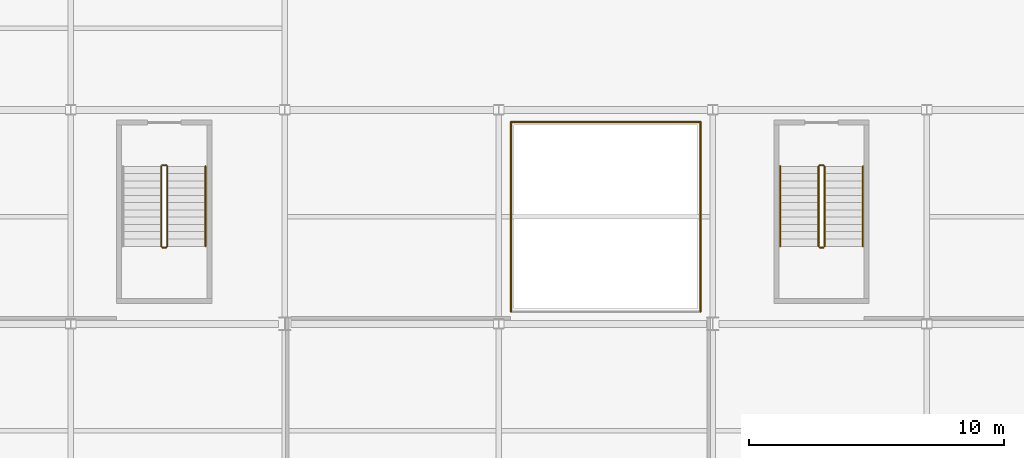
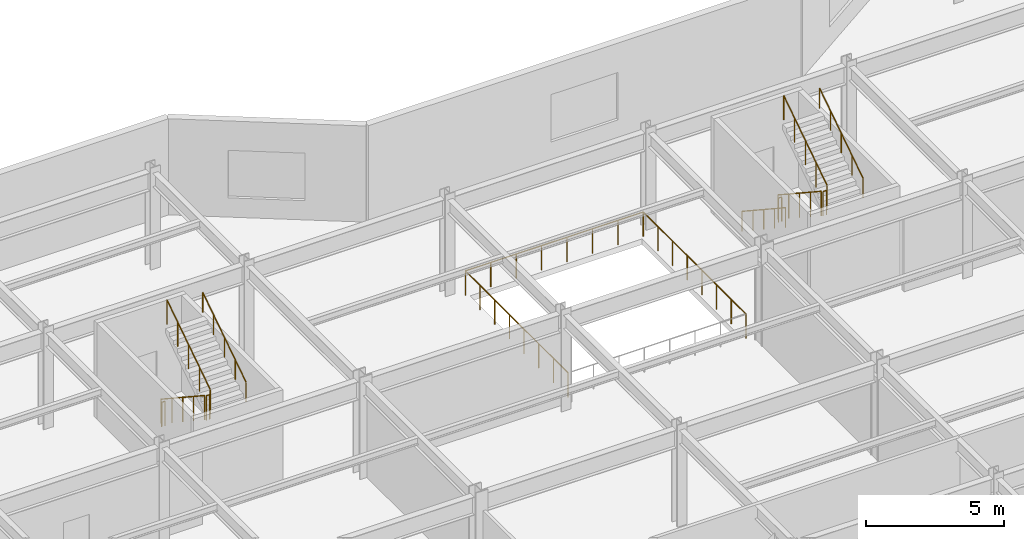
# One storey, part 23 of 26: 14 railings.
"""IFC4 building model written with IfcOpenShell, lengths in metres."""

import ifcopenshell
import ifcopenshell.guid

model = None  # the IFC model being written
_history = None  # IfcOwnerHistory: only IFC2X3 demands one
_inside = {}  # id of a spatial element -> (the spatial element, [elements in it])
_under = {}  # id of a project, library or spatial element -> (it, [spatial elements below it])
_declared = {}  # id of a project -> (the project, [libraries it declares])
_typed = {}  # id of a type object -> (the type object, [elements of that type])
_made_of = {}  # id of a material, layer set ... -> (it, [elements and type objects made of it])


def new_model(schema):
    """Start an empty IFC model of exactly this schema.

    Asked for "IFC4X3", IfcOpenShell would pick the latest addendum, in which some entities
    have other attributes; the version numbers below select the first issue.
    IFC2X3 requires an IfcOwnerHistory on every rooted entity: one is made here for all.
    """
    global model, _history
    if schema == "IFC4X3":
        model = ifcopenshell.file(schema_version=(4, 3, 0, 0))
    else:
        model = ifcopenshell.file(schema=schema)
    _inside.clear()
    _under.clear()
    _declared.clear()
    _typed.clear()
    _made_of.clear()
    _history = None
    if model.schema == "IFC2X3":
        org = make("IfcOrganization", Name="unknown")
        user = make(
            "IfcPersonAndOrganization",
            ThePerson=make("IfcPerson", FamilyName="unknown"),
            TheOrganization=org,
        )
        app = make(
            "IfcApplication",
            ApplicationDeveloper=org,
            Version="unknown",
            ApplicationFullName="unknown",
            ApplicationIdentifier="unknown",
        )
        _history = make(
            "IfcOwnerHistory",
            OwningUser=user,
            OwningApplication=app,
            ChangeAction="ADDED",
            CreationDate=0,
        )
    return model


def make(cls, **values):
    """One entity of the class cls with the attributes given. An attribute that is None is left unset."""
    return model.create_entity(
        cls, **{name: value for name, value in values.items() if value is not None}
    )


def rooted(cls, **values):
    """An entity with a GlobalId (a new one), such as an element, a storey or a relation."""
    return make(cls, GlobalId=ifcopenshell.guid.new(), OwnerHistory=_history, **values)


def si_unit(unit_type, name, prefix=None):
    """IfcSIUnit, for example si_unit("LENGTHUNIT", "METRE", prefix="MILLI")."""
    return make("IfcSIUnit", UnitType=unit_type, Prefix=prefix, Name=name)


def assignment(units):
    """IfcUnitAssignment: the units of a project."""
    return None if units is None else make("IfcUnitAssignment", Units=units)


def point(xyz):
    """IfcCartesianPoint."""
    return None if xyz is None else make("IfcCartesianPoint", Coordinates=xyz)


def direction(xyz):
    """IfcDirection."""
    return None if xyz is None else make("IfcDirection", DirectionRatios=xyz)


def frame(location, z_axis=None, x_axis=None):
    """IfcAxis2Placement3D, a coordinate frame: its origin and axes. An axis left out is left unset."""
    return make(
        "IfcAxis2Placement3D",
        Location=point(location),
        Axis=direction(z_axis),
        RefDirection=direction(x_axis),
    )


def frame_2d(location, x_axis=None):
    """IfcAxis2Placement2D, a coordinate frame in the plane: its origin and x axis."""
    return make(
        "IfcAxis2Placement2D", Location=point(location), RefDirection=direction(x_axis)
    )


def origin():
    """The frame at (0, 0, 0) with its axes left unset."""
    return frame((0.0, 0.0, 0.0))


def origin_2d():
    """The frame at (0, 0) in the plane with its x axis left unset."""
    return frame_2d((0.0, 0.0))


def place(relative_to, where):
    """IfcLocalPlacement: puts the frame where relative to a parent placement (None: the world)."""
    return make(
        "IfcLocalPlacement", PlacementRelTo=relative_to, RelativePlacement=where
    )


def context(
    kind, dimensions, precision=None, world=None, true_north=None, identifier=None
):
    """IfcGeometricRepresentationContext, for example the 3D "Model" context."""
    return make(
        "IfcGeometricRepresentationContext",
        ContextIdentifier=identifier,
        ContextType=kind,
        CoordinateSpaceDimension=dimensions,
        Precision=precision,
        WorldCoordinateSystem=world,
        TrueNorth=true_north,
    )


def subcontext(parent, identifier, kind, view, scale=None):
    """IfcGeometricRepresentationSubContext, for example "Body" below "Model"."""
    return make(
        "IfcGeometricRepresentationSubContext",
        ContextIdentifier=identifier,
        ContextType=kind,
        ParentContext=parent,
        TargetScale=scale,
        TargetView=view,
    )


def project(units=None, contexts=None):
    """IfcProject with its units and contexts."""
    return rooted(
        "IfcProject",
        Name="project",
        RepresentationContexts=contexts,
        UnitsInContext=assignment(units),
    )


def spatial(cls, under=None, at=None, **own):
    """A site, building, storey or space (cls), placed at a placement, below another one or the project."""
    s = rooted(cls, ObjectPlacement=at, **own)
    if under is not None:
        _under.setdefault(under.id(), (under, []))[1].append(s)
    return s


def profile(cls, at=None, kind="AREA", **sizes):
    """A parametric profile (cls). Its sizes go by their IFC names, for example OverallWidth=200.0."""
    return make(cls, ProfileType=kind, Position=at, **sizes)


def circle(**sizes):
    """IfcCircleProfileDef."""
    return profile("IfcCircleProfileDef", **sizes)


def extrude(swept, where, along, depth):
    """IfcExtrudedAreaSolid: the profile swept, set in the frame where, extruded along a direction by depth."""
    return make(
        "IfcExtrudedAreaSolid",
        SweptArea=swept,
        Position=where,
        ExtrudedDirection=direction(along),
        Depth=depth,
    )


def shape(context_of_items, identifier, shape_type, items):
    """IfcShapeRepresentation: the items that make up one representation, for example the "Body"."""
    return make(
        "IfcShapeRepresentation",
        ContextOfItems=context_of_items,
        RepresentationIdentifier=identifier,
        RepresentationType=shape_type,
        Items=items,
    )


def material(Name=None, Category=None):
    """IfcMaterial."""
    return make("IfcMaterial", Name=Name, Category=Category)


def made_of(thing, what):
    """Note that an element or type object is made of a material, layer set ...; save() writes the relation."""
    if what is not None:
        _made_of.setdefault(what.id(), (what, []))[1].append(thing)
    return thing


def type_object(cls, material=None, **own):
    """A type object (cls), such as IfcWallType, which elements share."""
    return made_of(rooted(cls, **own), material)


def element(
    cls,
    number,
    at=None,
    inside=None,
    cuts=None,
    type_object=None,
    material=None,
    context=None,
    identifier="Body",
    shape_type=None,
    held_by="IfcProductDefinitionShape",
    body=None,
    shapes=None,
    **own,
):
    """One element of the class cls, such as IfcWall. Its Tag is "e" and its number.

    at: its placement. inside: the storey or other place that contains it. cuts: it is an
    opening in that element (IfcRelVoidsElement). A single representation is given by context,
    identifier, shape_type and body (its items); several are given by shapes. held_by: the class
    of the entity that holds the representations. save() writes the other relations.
    """
    e = rooted(cls, Tag="e%d" % number, ObjectPlacement=at, **own)
    if body is not None:
        shapes = [shape(context, identifier, shape_type, body)]
    if shapes is not None:
        e.Representation = make(held_by, Representations=shapes)
    if inside is not None:
        _inside.setdefault(inside.id(), (inside, []))[1].append(e)
    if cuts is not None:
        rooted(
            "IfcRelVoidsElement", RelatingBuildingElement=cuts, RelatedOpeningElement=e
        )
    if type_object is not None:
        _typed.setdefault(type_object.id(), (type_object, []))[1].append(e)
    return made_of(e, material)


def aggregate(whole, parts):
    """IfcRelAggregates: a whole, such as a stair, and the parts it consists of."""
    return rooted("IfcRelAggregates", RelatingObject=whole, RelatedObjects=parts)


def save(model, path):
    """Write the relations noted so far, then the file.

    IfcRelAggregates (storeys below a building ...), IfcRelContainedInSpatialStructure (elements
    in a storey), IfcRelDefinesByType, IfcRelAssociatesMaterial and IfcRelDeclares: one each for
    every whole, place, type object, material and project.
    """
    for whole, parts in _under.values():
        aggregate(whole, parts)
    for where, things in _inside.values():
        rooted(
            "IfcRelContainedInSpatialStructure",
            RelatedElements=things,
            RelatingStructure=where,
        )
    for kind, things in _typed.values():
        rooted("IfcRelDefinesByType", RelatedObjects=things, RelatingType=kind)
    for what, things in _made_of.values():
        rooted("IfcRelAssociatesMaterial", RelatedObjects=things, RelatingMaterial=what)
    for by, libraries in _declared.values():
        rooted("IfcRelDeclares", RelatingContext=by, RelatedDefinitions=libraries)
    model.write(path)


model = new_model("IFC4")

# Units and contexts
model_context = context("Model", 3, precision=1e-05, world=origin(), true_north=direction((0.0, 1.0)))
body_context = subcontext(model_context, "Body", "Model", "MODEL_VIEW")
ifc_project = project(units=[si_unit("LENGTHUNIT", "METRE"), si_unit("AREAUNIT", "SQUARE_METRE"), si_unit("VOLUMEUNIT", "CUBIC_METRE"), si_unit("PLANEANGLEUNIT", "RADIAN"), si_unit("MASSUNIT", "GRAM", prefix="KILO")], contexts=[model_context])

# Site, building, storey
site_placement = place(None, origin())
site = spatial("IfcSite", under=ifc_project, at=site_placement, CompositionType="ELEMENT")
building_placement = place(site_placement, origin())
building = spatial("IfcBuilding", under=site, at=building_placement, Name="Varnakote Quay Hospital", CompositionType="ELEMENT")
storey_placement = place(building_placement, frame((0.0, 0.0, 4.5)))
storey = spatial("IfcBuildingStorey", under=building, at=storey_placement, Name="L01", CompositionType="ELEMENT", Elevation=4.5)

# Railings
ifc_material_1 = material(Name="Brushed stainless steel balustrade", Category="steel")
railing_type_1 = type_object("IfcRailingType", Name="RLG-STAIR-GUARD-1150", PredefinedType="GUARDRAIL", material=ifc_material_1)
railing_1_placement = place(storey_placement, frame((11.949951171875, 34.97998046875, 0.1875)))
element("IfcRailing", 1, at=railing_1_placement, inside=storey, type_object=railing_type_1, Name="L01 ST-04 stair guard 1", PredefinedType="GUARDRAIL", context=body_context, shape_type="SweptSolid", body=[
    extrude(circle(Radius=0.02392578125, at=origin_2d()), frame((0.0, 0.0, 1.076171875), z_axis=(0.0, -0.835417868355, 0.549615306585), x_axis=(1.0, 0.0, 0.0)), (0.0, 0.0, 1.0), 3.752685546875),
    extrude(circle(Radius=0.02099609375, at=origin_2d()), origin(), (0.0, 0.0, 1.0), 1.052001953125),
    extrude(circle(Radius=0.02099609375, at=origin_2d()), frame((0.0, -0.78369140625, 0.515625)), (0.0, 0.0, 1.0), 1.052001953125),
    extrude(circle(Radius=0.02099609375, at=origin_2d()), frame((0.0, -1.5673828125, 1.03125)), (0.0, 0.0, 1.0), 1.052001953125),
    extrude(circle(Radius=0.02099609375, at=origin_2d()), frame((0.0, -2.351318359375, 1.546875)), (0.0, 0.0, 1.0), 1.052001953125),
    extrude(circle(Radius=0.02099609375, at=origin_2d()), frame((0.0, -3.135009765625, 2.0625)), (0.0, 0.0, 1.0), 1.052001953125),
])
railing_2_placement = place(storey_placement, frame((12.0, 31.794921875, 2.25)))
element("IfcRailing", 2, at=railing_2_placement, inside=storey, type_object=railing_type_1, Name="L01 ST-04 stair guard 2", PredefinedType="GUARDRAIL", context=body_context, shape_type="SweptSolid", body=[
    extrude(circle(Radius=0.02392578125, at=origin_2d()), frame((0.0, 0.0, 1.076171875), z_axis=(1.0, 0.0, 0.0), x_axis=(0.0, 1.0, 0.0)), (0.0, 0.0, 1.0), 0.139892578125),
    extrude(circle(Radius=0.02099609375, at=origin_2d()), origin(), (0.0, 0.0, 1.0), 1.052001953125),
    extrude(circle(Radius=0.02099609375, at=origin_2d()), frame((0.139892578125, 0.0, 0.0)), (0.0, 0.0, 1.0), 1.052001953125),
])
railing_3_placement = place(storey_placement, frame((12.18994140625, 31.844970703125, 2.4375)))
element("IfcRailing", 3, at=railing_3_placement, inside=storey, type_object=railing_type_1, Name="L01 ST-04 stair guard 3", PredefinedType="GUARDRAIL", context=body_context, shape_type="SweptSolid", body=[
    extrude(circle(Radius=0.02392578125, at=origin_2d()), frame((0.0, 0.0, 1.076171875), z_axis=(0.0, 0.835417868355, 0.549615306585), x_axis=(-1.0, 0.0, 0.0)), (0.0, 0.0, 1.0), 3.752685546875),
    extrude(circle(Radius=0.02099609375, at=origin_2d()), origin(), (0.0, 0.0, 1.0), 1.052001953125),
    extrude(circle(Radius=0.02099609375, at=origin_2d()), frame((0.0, 0.78369140625, 0.515625)), (0.0, 0.0, 1.0), 1.052001953125),
    extrude(circle(Radius=0.02099609375, at=origin_2d()), frame((0.0, 1.5673828125, 1.03125)), (0.0, 0.0, 1.0), 1.052001953125),
    extrude(circle(Radius=0.02099609375, at=origin_2d()), frame((0.0, 2.351318359375, 1.546875)), (0.0, 0.0, 1.0), 1.052001953125),
    extrude(circle(Radius=0.02099609375, at=origin_2d()), frame((0.0, 3.135009765625, 2.0625)), (0.0, 0.0, 1.0), 1.052001953125),
])
railing_4_placement = place(storey_placement, frame((12.0, 35.030029296875, 0.0)))
element("IfcRailing", 4, at=railing_4_placement, inside=storey, type_object=railing_type_1, Name="L01 ST-04 stair guard 4", PredefinedType="GUARDRAIL", context=body_context, shape_type="SweptSolid", body=[
    extrude(circle(Radius=0.02392578125, at=origin_2d()), frame((0.0, 0.0, 1.076171875), z_axis=(1.0, 0.0, 0.0), x_axis=(0.0, 1.0, 0.0)), (0.0, 0.0, 1.0), 0.139892578125),
    extrude(circle(Radius=0.02099609375, at=origin_2d()), origin(), (0.0, 0.0, 1.0), 1.052001953125),
    extrude(circle(Radius=0.02099609375, at=origin_2d()), frame((0.139892578125, 0.0, 0.0)), (0.0, 0.0, 1.0), 1.052001953125),
])
railing_5_placement = place(storey_placement, frame((37.75, 34.97998046875, 0.1875)))
element("IfcRailing", 5, at=railing_5_placement, inside=storey, type_object=railing_type_1, Name="L01 ST-05 stair guard 1", PredefinedType="GUARDRAIL", context=body_context, shape_type="SweptSolid", body=[
    extrude(circle(Radius=0.02392578125, at=origin_2d()), frame((0.0, 0.0, 1.076171875), z_axis=(0.0, -0.835417868355, 0.549615306585), x_axis=(1.0, 0.0, 0.0)), (0.0, 0.0, 1.0), 3.752685546875),
    extrude(circle(Radius=0.02099609375, at=origin_2d()), origin(), (0.0, 0.0, 1.0), 1.052001953125),
    extrude(circle(Radius=0.02099609375, at=origin_2d()), frame((0.0, -0.78369140625, 0.515625)), (0.0, 0.0, 1.0), 1.052001953125),
    extrude(circle(Radius=0.02099609375, at=origin_2d()), frame((0.0, -1.5673828125, 1.03125)), (0.0, 0.0, 1.0), 1.052001953125),
    extrude(circle(Radius=0.02099609375, at=origin_2d()), frame((0.0, -2.351318359375, 1.546875)), (0.0, 0.0, 1.0), 1.052001953125),
    extrude(circle(Radius=0.02099609375, at=origin_2d()), frame((0.0, -3.135009765625, 2.0625)), (0.0, 0.0, 1.0), 1.052001953125),
])
railing_6_placement = place(storey_placement, frame((37.800048828125, 31.794921875, 2.25)))
element("IfcRailing", 6, at=railing_6_placement, inside=storey, type_object=railing_type_1, Name="L01 ST-05 stair guard 2", PredefinedType="GUARDRAIL", context=body_context, shape_type="SweptSolid", body=[
    extrude(circle(Radius=0.02392578125, at=origin_2d()), frame((0.0, 0.0, 1.076171875), z_axis=(1.0, 0.0, 0.0), x_axis=(0.0, 1.0, 0.0)), (0.0, 0.0, 1.0), 0.139892578125),
    extrude(circle(Radius=0.02099609375, at=origin_2d()), origin(), (0.0, 0.0, 1.0), 1.052001953125),
    extrude(circle(Radius=0.02099609375, at=origin_2d()), frame((0.139892578125, 0.0, 0.0)), (0.0, 0.0, 1.0), 1.052001953125),
])
railing_7_placement = place(storey_placement, frame((37.989990234375, 31.844970703125, 2.4375)))
element("IfcRailing", 7, at=railing_7_placement, inside=storey, type_object=railing_type_1, Name="L01 ST-05 stair guard 3", PredefinedType="GUARDRAIL", context=body_context, shape_type="SweptSolid", body=[
    extrude(circle(Radius=0.02392578125, at=origin_2d()), frame((0.0, 0.0, 1.076171875), z_axis=(0.0, 0.835417868355, 0.549615306585), x_axis=(-1.0, 0.0, 0.0)), (0.0, 0.0, 1.0), 3.752685546875),
    extrude(circle(Radius=0.02099609375, at=origin_2d()), origin(), (0.0, 0.0, 1.0), 1.052001953125),
    extrude(circle(Radius=0.02099609375, at=origin_2d()), frame((0.0, 0.78369140625, 0.515625)), (0.0, 0.0, 1.0), 1.052001953125),
    extrude(circle(Radius=0.02099609375, at=origin_2d()), frame((0.0, 1.5673828125, 1.03125)), (0.0, 0.0, 1.0), 1.052001953125),
    extrude(circle(Radius=0.02099609375, at=origin_2d()), frame((0.0, 2.351318359375, 1.546875)), (0.0, 0.0, 1.0), 1.052001953125),
    extrude(circle(Radius=0.02099609375, at=origin_2d()), frame((0.0, 3.135009765625, 2.0625)), (0.0, 0.0, 1.0), 1.052001953125),
])
railing_8_placement = place(storey_placement, frame((37.800048828125, 35.030029296875, 0.0)))
element("IfcRailing", 8, at=railing_8_placement, inside=storey, type_object=railing_type_1, Name="L01 ST-05 stair guard 4", PredefinedType="GUARDRAIL", context=body_context, shape_type="SweptSolid", body=[
    extrude(circle(Radius=0.02392578125, at=origin_2d()), frame((0.0, 0.0, 1.076171875), z_axis=(1.0, 0.0, 0.0), x_axis=(0.0, 1.0, 0.0)), (0.0, 0.0, 1.0), 0.139892578125),
    extrude(circle(Radius=0.02099609375, at=origin_2d()), origin(), (0.0, 0.0, 1.0), 1.052001953125),
    extrude(circle(Radius=0.02099609375, at=origin_2d()), frame((0.139892578125, 0.0, 0.0)), (0.0, 0.0, 1.0), 1.052001953125),
])
railing_9_placement = place(storey_placement, frame((33.1201171875, 29.280029296875, 0.0)))
element("IfcRailing", 9, at=railing_9_placement, inside=storey, type_object=railing_type_1, Name="L01 Concourse Atrium Void Safety Balustrade", PredefinedType="GUARDRAIL", context=body_context, shape_type="SweptSolid", body=[
    extrude(circle(Radius=0.02392578125, at=origin_2d()), frame((0.0, 0.0, 1.076171875), z_axis=(0.0, 1.0, 0.0), x_axis=(-1.0, 0.0, 0.0)), (0.0, 0.0, 1.0), 7.43994140625),
    extrude(circle(Radius=0.02099609375, at=origin_2d()), origin(), (0.0, 0.0, 1.0), 1.052001953125),
    extrude(circle(Radius=0.02099609375, at=origin_2d()), frame((0.0, 1.062744140625, 0.0)), (0.0, 0.0, 1.0), 1.052001953125),
    extrude(circle(Radius=0.02099609375, at=origin_2d()), frame((0.0, 2.125732421875, 0.0)), (0.0, 0.0, 1.0), 1.052001953125),
    extrude(circle(Radius=0.02099609375, at=origin_2d()), frame((0.0, 3.1884765625, 0.0)), (0.0, 0.0, 1.0), 1.052001953125),
    extrude(circle(Radius=0.02099609375, at=origin_2d()), frame((0.0, 4.25146484375, 0.0)), (0.0, 0.0, 1.0), 1.052001953125),
    extrude(circle(Radius=0.02099609375, at=origin_2d()), frame((0.0, 5.314208984375, 0.0)), (0.0, 0.0, 1.0), 1.052001953125),
    extrude(circle(Radius=0.02099609375, at=origin_2d()), frame((0.0, 6.377197265625, 0.0)), (0.0, 0.0, 1.0), 1.052001953125),
    extrude(circle(Radius=0.02099609375, at=origin_2d()), frame((0.0, 7.43994140625, 0.0)), (0.0, 0.0, 1.0), 1.052001953125),
])
railing_10_placement = place(storey_placement, frame((33.1201171875, 36.719970703125, 0.0)))
element("IfcRailing", 10, at=railing_10_placement, inside=storey, type_object=railing_type_1, Name="L01 Concourse Atrium Void Safety Balustrade", PredefinedType="GUARDRAIL", context=body_context, shape_type="SweptSolid", body=[
    extrude(circle(Radius=0.02392578125, at=origin_2d()), frame((0.0, 0.0, 1.076171875), z_axis=(-1.0, 0.0, 0.0), x_axis=(0.0, -1.0, 0.0)), (0.0, 0.0, 1.0), 7.440185546875),
    extrude(circle(Radius=0.02099609375, at=origin_2d()), origin(), (0.0, 0.0, 1.0), 1.052001953125),
    extrude(circle(Radius=0.02099609375, at=origin_2d()), frame((-1.06298828125, 0.0, 0.0)), (0.0, 0.0, 1.0), 1.052001953125),
    extrude(circle(Radius=0.02099609375, at=origin_2d()), frame((-2.125732421875, 0.0, 0.0)), (0.0, 0.0, 1.0), 1.052001953125),
    extrude(circle(Radius=0.02099609375, at=origin_2d()), frame((-3.188720703125, 0.0, 0.0)), (0.0, 0.0, 1.0), 1.052001953125),
    extrude(circle(Radius=0.02099609375, at=origin_2d()), frame((-4.25146484375, 0.0, 0.0)), (0.0, 0.0, 1.0), 1.052001953125),
    extrude(circle(Radius=0.02099609375, at=origin_2d()), frame((-5.314453125, 0.0, 0.0)), (0.0, 0.0, 1.0), 1.052001953125),
    extrude(circle(Radius=0.02099609375, at=origin_2d()), frame((-6.377197265625, 0.0, 0.0)), (0.0, 0.0, 1.0), 1.052001953125),
    extrude(circle(Radius=0.02099609375, at=origin_2d()), frame((-7.440185546875, 0.0, 0.0)), (0.0, 0.0, 1.0), 1.052001953125),
])
railing_11_placement = place(storey_placement, frame((25.679931640625, 36.719970703125, 0.0)))
element("IfcRailing", 11, at=railing_11_placement, inside=storey, type_object=railing_type_1, Name="L01 Concourse Atrium Void Safety Balustrade", PredefinedType="GUARDRAIL", context=body_context, shape_type="SweptSolid", body=[
    extrude(circle(Radius=0.02392578125, at=origin_2d()), frame((0.0, 0.0, 1.076171875), z_axis=(0.0, -1.0, 0.0), x_axis=(1.0, 0.0, 0.0)), (0.0, 0.0, 1.0), 7.43994140625),
    extrude(circle(Radius=0.02099609375, at=origin_2d()), origin(), (0.0, 0.0, 1.0), 1.052001953125),
    extrude(circle(Radius=0.02099609375, at=origin_2d()), frame((0.0, -1.062744140625, 0.0)), (0.0, 0.0, 1.0), 1.052001953125),
    extrude(circle(Radius=0.02099609375, at=origin_2d()), frame((0.0, -2.125732421875, 0.0)), (0.0, 0.0, 1.0), 1.052001953125),
    extrude(circle(Radius=0.02099609375, at=origin_2d()), frame((0.0, -3.1884765625, 0.0)), (0.0, 0.0, 1.0), 1.052001953125),
    extrude(circle(Radius=0.02099609375, at=origin_2d()), frame((0.0, -4.25146484375, 0.0)), (0.0, 0.0, 1.0), 1.052001953125),
    extrude(circle(Radius=0.02099609375, at=origin_2d()), frame((0.0, -5.314208984375, 0.0)), (0.0, 0.0, 1.0), 1.052001953125),
    extrude(circle(Radius=0.02099609375, at=origin_2d()), frame((0.0, -6.377197265625, 0.0)), (0.0, 0.0, 1.0), 1.052001953125),
    extrude(circle(Radius=0.02099609375, at=origin_2d()), frame((0.0, -7.43994140625, 0.0)), (0.0, 0.0, 1.0), 1.052001953125),
])
ifc_material_2 = material(Name="Brushed stainless steel handrail", Category="steel")
railing_type_2 = type_object("IfcRailingType", Name="RLG-STAIR-HND-920", PredefinedType="HANDRAIL", material=ifc_material_2)
railing_12_placement = place(storey_placement, frame((13.68994140625, 31.844970703125, 2.4375)))
element("IfcRailing", 12, at=railing_12_placement, inside=storey, type_object=railing_type_2, Name="L01 ST-04 stair handrail 2", PredefinedType="HANDRAIL", context=body_context, shape_type="SweptSolid", body=[
    extrude(circle(Radius=0.02392578125, at=origin_2d()), frame((0.0, 0.0, 0.8759765625), z_axis=(0.0, 0.835417868355, 0.549615306585), x_axis=(-1.0, 0.0, 0.0)), (0.0, 0.0, 1.0), 3.752685546875),
    extrude(circle(Radius=0.02099609375, at=origin_2d()), origin(), (0.0, 0.0, 1.0), 0.851806640625),
    extrude(circle(Radius=0.02099609375, at=origin_2d()), frame((0.0, 0.78369140625, 0.515625)), (0.0, 0.0, 1.0), 0.851806640625),
    extrude(circle(Radius=0.02099609375, at=origin_2d()), frame((0.0, 1.5673828125, 1.03125)), (0.0, 0.0, 1.0), 0.851806640625),
    extrude(circle(Radius=0.02099609375, at=origin_2d()), frame((0.0, 2.351318359375, 1.546875)), (0.0, 0.0, 1.0), 0.851806640625),
    extrude(circle(Radius=0.02099609375, at=origin_2d()), frame((0.0, 3.135009765625, 2.0625)), (0.0, 0.0, 1.0), 0.851806640625),
])
railing_13_placement = place(storey_placement, frame((36.25, 34.97998046875, 0.1875)))
element("IfcRailing", 13, at=railing_13_placement, inside=storey, type_object=railing_type_2, Name="L01 ST-05 stair handrail 1", PredefinedType="HANDRAIL", context=body_context, shape_type="SweptSolid", body=[
    extrude(circle(Radius=0.02392578125, at=origin_2d()), frame((0.0, 0.0, 0.8759765625), z_axis=(0.0, -0.835417868355, 0.549615306585), x_axis=(1.0, 0.0, 0.0)), (0.0, 0.0, 1.0), 3.752685546875),
    extrude(circle(Radius=0.02099609375, at=origin_2d()), origin(), (0.0, 0.0, 1.0), 0.851806640625),
    extrude(circle(Radius=0.02099609375, at=origin_2d()), frame((0.0, -0.78369140625, 0.515625)), (0.0, 0.0, 1.0), 0.851806640625),
    extrude(circle(Radius=0.02099609375, at=origin_2d()), frame((0.0, -1.5673828125, 1.03125)), (0.0, 0.0, 1.0), 0.851806640625),
    extrude(circle(Radius=0.02099609375, at=origin_2d()), frame((0.0, -2.351318359375, 1.546875)), (0.0, 0.0, 1.0), 0.851806640625),
    extrude(circle(Radius=0.02099609375, at=origin_2d()), frame((0.0, -3.135009765625, 2.0625)), (0.0, 0.0, 1.0), 0.851806640625),
])
railing_14_placement = place(storey_placement, frame((39.489990234375, 31.844970703125, 2.4375)))
element("IfcRailing", 14, at=railing_14_placement, inside=storey, type_object=railing_type_2, Name="L01 ST-05 stair handrail 2", PredefinedType="HANDRAIL", context=body_context, shape_type="SweptSolid", body=[
    extrude(circle(Radius=0.02392578125, at=origin_2d()), frame((0.0, 0.0, 0.8759765625), z_axis=(0.0, 0.835417868355, 0.549615306585), x_axis=(-1.0, 0.0, 0.0)), (0.0, 0.0, 1.0), 3.752685546875),
    extrude(circle(Radius=0.02099609375, at=origin_2d()), origin(), (0.0, 0.0, 1.0), 0.851806640625),
    extrude(circle(Radius=0.02099609375, at=origin_2d()), frame((0.0, 0.78369140625, 0.515625)), (0.0, 0.0, 1.0), 0.851806640625),
    extrude(circle(Radius=0.02099609375, at=origin_2d()), frame((0.0, 1.5673828125, 1.03125)), (0.0, 0.0, 1.0), 0.851806640625),
    extrude(circle(Radius=0.02099609375, at=origin_2d()), frame((0.0, 2.351318359375, 1.546875)), (0.0, 0.0, 1.0), 0.851806640625),
    extrude(circle(Radius=0.02099609375, at=origin_2d()), frame((0.0, 3.135009765625, 2.0625)), (0.0, 0.0, 1.0), 0.851806640625),
])

save(model, "model.ifc")
